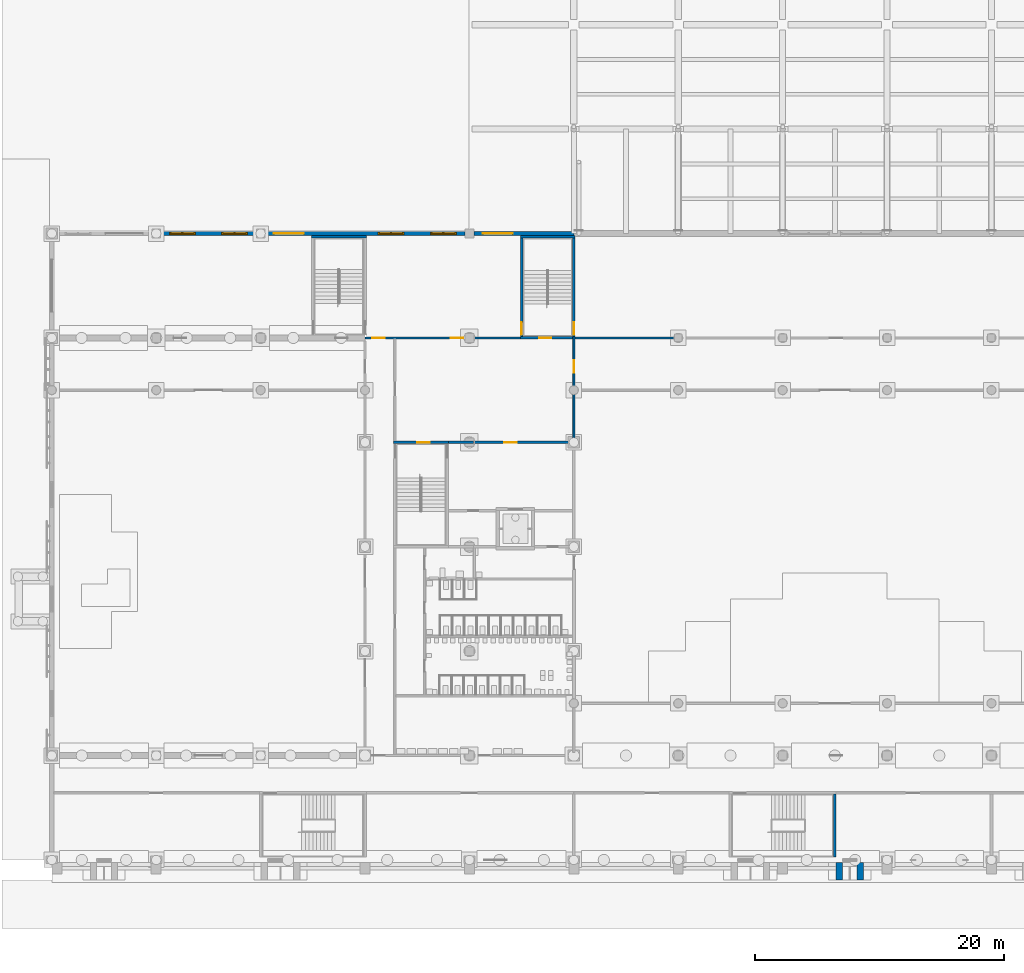
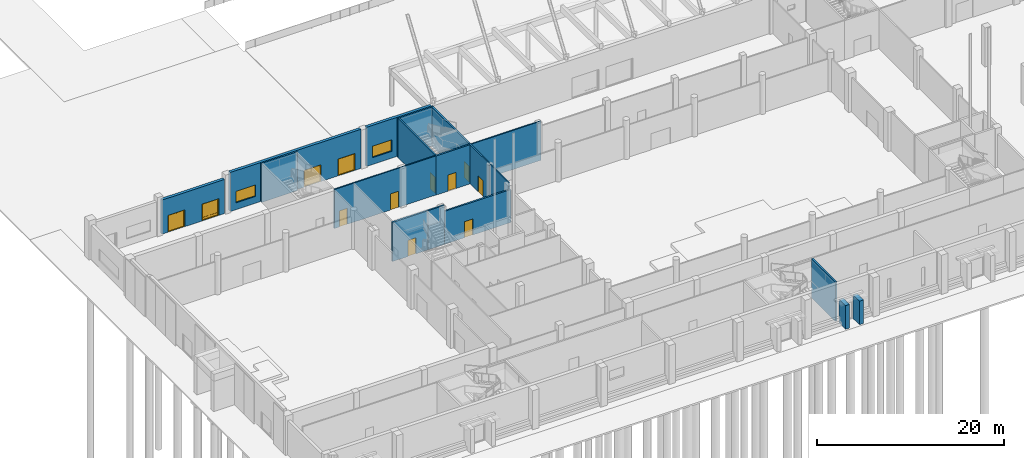
# One storey, part 19 of 74: 18 walls, 12 doors, 2 windows, 14 openings.
"""IFC4 building model written with IfcOpenShell, lengths in metres."""

from ifc_helpers import new_model, si_unit, direction, frame, frame_2d, origin, place, context, subcontext, project, spatial, rectangle, extrude, material, layer, layer_set, type_object, element, fill, save


model = new_model("IFC4")

# Units and contexts
model_context = context("Model", 3, precision=1e-05, world=origin(), true_north=direction((0.0, 1.0)))
body_context = subcontext(model_context, "Body", "Model", "MODEL_VIEW")
ifc_project = project(units=[si_unit("LENGTHUNIT", "METRE"), si_unit("AREAUNIT", "SQUARE_METRE"), si_unit("VOLUMEUNIT", "CUBIC_METRE"), si_unit("PLANEANGLEUNIT", "RADIAN"), si_unit("MASSUNIT", "GRAM", prefix="KILO")], contexts=[model_context])

# Site, building, storey
site_placement = place(None, origin())
site = spatial("IfcSite", under=ifc_project, at=site_placement, CompositionType="ELEMENT")
building_placement = place(site_placement, origin())
building = spatial("IfcBuilding", under=site, at=building_placement, Name="Rulbaag Community and Learning Centre", CompositionType="ELEMENT")
storey_placement = place(building_placement, origin())
storey = spatial("IfcBuildingStorey", under=building, at=storey_placement, Name="L00", CompositionType="ELEMENT", Elevation=0.0)

# Wall, openings, doors
ifc_material_1 = material(Name="Concrete M40", Category="concrete")
ifc_layer_1 = layer(ifc_material_1, 0.35009765625)
ifc_layer_set_1 = layer_set([ifc_layer_1], Name="EW-CONC350")
wall_type_1 = type_object("IfcWallType", Name="EW-CONC350", PredefinedType="STANDARD", material=ifc_layer_set_1)
wall_1_placement = place(storey_placement, frame((8.75, 50.39990234375, 0.0), z_axis=(0.0, 0.0, 1.0), x_axis=(1.0, 0.0, 0.0)))
wall_1 = element("IfcWall", 1, at=wall_1_placement, inside=storey, type_object=wall_type_1, Name="Board-marked concrete cladding wall AN", PredefinedType="STANDARD", context=body_context, shape_type="SweptSolid", body=[
    extrude(rectangle(XDim=7.699951171875, YDim=0.35009765625, at=frame_2d((3.85009765625, 0.0))), origin(), (0.0, 0.0, 1.0), 4.449951171875),
])
opening_1_placement = place(wall_1_placement, frame((0.699951171875, 0.0, 0.0)))
opening_1 = element("IfcOpeningElement", 2, at=opening_1_placement, cuts=wall_1, Name="Opening L00-D008", PredefinedType="OPENING", context=body_context, shape_type="SweptSolid", body=[
    extrude(rectangle(XDim=2.10009765625, YDim=2.199951171875, at=frame_2d((1.050048828125, 1.10009765625))), frame((0.0, 0.18505859375, 0.0), z_axis=(0.0, -1.0, 0.0), x_axis=(1.0, 0.0, 0.0)), (0.0, 0.0, 1.0), 0.3701171875),
])
opening_2_placement = place(wall_1_placement, frame((4.89990234375, 0.0, 0.0)))
opening_2 = element("IfcOpeningElement", 3, at=opening_2_placement, cuts=wall_1, Name="Opening L00-D011", PredefinedType="OPENING", context=body_context, shape_type="SweptSolid", body=[
    extrude(rectangle(XDim=2.10009765625, YDim=2.199951171875, at=frame_2d((1.050048828125, 1.10009765625))), frame((0.0, 0.18505859375, 0.0), z_axis=(0.0, -1.0, 0.0), x_axis=(1.0, 0.0, 0.0)), (0.0, 0.0, 1.0), 0.3701171875),
])
ifc_material_2 = material(Name="Aluminium", Category="aluminium")
door_type_1 = type_object("IfcDoorType", Name="DG-21", OperationType="DOUBLE_DOOR_SINGLE_SWING", PredefinedType="DOOR", material=ifc_material_2)
door_1_placement = place(opening_1_placement, origin())
door_1 = element("IfcDoor", 4, at=door_1_placement, inside=storey, type_object=door_type_1, Name="Final exit G5", OperationType="SINGLE_SWING_LEFT", OverallHeight=2.199951171875, OverallWidth=2.10009765625, PredefinedType="DOOR", context=body_context, shape_type="SweptSolid", body=[
    extrude(rectangle(XDim=2.10009765625, YDim=0.012939453125, at=frame_2d((1.050048828125, 0.006591796875))), frame((0.0, 0.114990234375, 0.0), z_axis=(0.0, -1.0, 0.0), x_axis=(1.0, 0.0, 0.0)), (0.0, 0.0, 1.0), 0.22998046875),
    extrude(rectangle(XDim=0.074951171875, YDim=2.112060546875, at=frame_2d((0.03759765625, 1.069091796875))), frame((0.0, 0.125, 0.0), z_axis=(0.0, -1.0, 0.0), x_axis=(1.0, 0.0, 0.0)), (0.0, 0.0, 1.0), 0.25),
    extrude(rectangle(XDim=0.074951171875, YDim=2.112060546875, at=frame_2d((2.0625, 1.069091796875))), frame((0.0, 0.125, 0.0), z_axis=(0.0, -1.0, 0.0), x_axis=(1.0, 0.0, 0.0)), (0.0, 0.0, 1.0), 0.25),
    extrude(rectangle(XDim=2.10009765625, YDim=0.074951171875, at=frame_2d((1.050048828125, 2.16259765625))), frame((0.0, 0.114990234375, 0.0), z_axis=(0.0, -1.0, 0.0), x_axis=(1.0, 0.0, 0.0)), (0.0, 0.0, 1.0), 0.22998046875),
    extrude(rectangle(XDim=1.9501953125, YDim=0.300048828125, at=frame_2d((1.050048828125, 0.1630859375))), frame((0.0, 0.02001953125, 0.0), z_axis=(0.0, -1.0, 0.0), x_axis=(1.0, 0.0, 0.0)), (0.0, 0.0, 1.0), 0.0400390625),
    extrude(rectangle(XDim=1.9501953125, YDim=0.1201171875, at=frame_2d((1.050048828125, 2.06494140625))), frame((0.0, 0.02001953125, 0.0), z_axis=(0.0, -1.0, 0.0), x_axis=(1.0, 0.0, 0.0)), (0.0, 0.0, 1.0), 0.0400390625),
    extrude(rectangle(XDim=0.090087890625, YDim=1.69189453125, at=frame_2d((0.119873046875, 1.158935546875))), frame((0.0, 0.02490234375, 0.0), z_axis=(0.0, -1.0, 0.0), x_axis=(1.0, 0.0, 0.0)), (0.0, 0.0, 1.0), 0.050048828125),
    extrude(rectangle(XDim=0.179931640625, YDim=1.69189453125, at=frame_2d((1.050048828125, 1.158935546875))), frame((0.0, 0.02490234375, 0.0), z_axis=(0.0, -1.0, 0.0), x_axis=(1.0, 0.0, 0.0)), (0.0, 0.0, 1.0), 0.050048828125),
    extrude(rectangle(XDim=0.090087890625, YDim=1.69189453125, at=frame_2d((1.980224609375, 1.158935546875))), frame((0.0, 0.02490234375, 0.0), z_axis=(0.0, -1.0, 0.0), x_axis=(1.0, 0.0, 0.0)), (0.0, 0.0, 1.0), 0.050048828125),
    extrude(rectangle(XDim=0.795166015625, YDim=1.69189453125, at=frame_2d((0.5625, 1.158935546875))), frame((0.0, 0.011962890625, 0.0), z_axis=(0.0, -1.0, 0.0), x_axis=(1.0, 0.0, 0.0)), (0.0, 0.0, 1.0), 0.02392578125),
    extrude(rectangle(XDim=0.795166015625, YDim=1.69189453125, at=frame_2d((1.53759765625, 1.158935546875))), frame((0.0, 0.011962890625, 0.0), z_axis=(0.0, -1.0, 0.0), x_axis=(1.0, 0.0, 0.0)), (0.0, 0.0, 1.0), 0.02392578125),
])
fill(opening_1, door_1)
door_2_placement = place(opening_2_placement, origin())
door_2 = element("IfcDoor", 5, at=door_2_placement, inside=storey, type_object=door_type_1, Name="Final exit G6", OperationType="SINGLE_SWING_LEFT", OverallHeight=2.199951171875, OverallWidth=2.10009765625, PredefinedType="DOOR", context=body_context, shape_type="SweptSolid", body=[
    extrude(rectangle(XDim=2.10009765625, YDim=0.012939453125, at=frame_2d((1.050048828125, 0.006591796875))), frame((0.0, 0.114990234375, 0.0), z_axis=(0.0, -1.0, 0.0), x_axis=(1.0, 0.0, 0.0)), (0.0, 0.0, 1.0), 0.22998046875),
    extrude(rectangle(XDim=0.074951171875, YDim=2.112060546875, at=frame_2d((0.03759765625, 1.069091796875))), frame((0.0, 0.125, 0.0), z_axis=(0.0, -1.0, 0.0), x_axis=(1.0, 0.0, 0.0)), (0.0, 0.0, 1.0), 0.25),
    extrude(rectangle(XDim=0.074951171875, YDim=2.112060546875, at=frame_2d((2.0625, 1.069091796875))), frame((0.0, 0.125, 0.0), z_axis=(0.0, -1.0, 0.0), x_axis=(1.0, 0.0, 0.0)), (0.0, 0.0, 1.0), 0.25),
    extrude(rectangle(XDim=2.10009765625, YDim=0.074951171875, at=frame_2d((1.050048828125, 2.16259765625))), frame((0.0, 0.114990234375, 0.0), z_axis=(0.0, -1.0, 0.0), x_axis=(1.0, 0.0, 0.0)), (0.0, 0.0, 1.0), 0.22998046875),
    extrude(rectangle(XDim=1.9501953125, YDim=0.300048828125, at=frame_2d((1.050048828125, 0.1630859375))), frame((0.0, 0.02001953125, 0.0), z_axis=(0.0, -1.0, 0.0), x_axis=(1.0, 0.0, 0.0)), (0.0, 0.0, 1.0), 0.0400390625),
    extrude(rectangle(XDim=1.9501953125, YDim=0.1201171875, at=frame_2d((1.050048828125, 2.06494140625))), frame((0.0, 0.02001953125, 0.0), z_axis=(0.0, -1.0, 0.0), x_axis=(1.0, 0.0, 0.0)), (0.0, 0.0, 1.0), 0.0400390625),
    extrude(rectangle(XDim=0.090087890625, YDim=1.69189453125, at=frame_2d((0.119873046875, 1.158935546875))), frame((0.0, 0.02490234375, 0.0), z_axis=(0.0, -1.0, 0.0), x_axis=(1.0, 0.0, 0.0)), (0.0, 0.0, 1.0), 0.050048828125),
    extrude(rectangle(XDim=0.179931640625, YDim=1.69189453125, at=frame_2d((1.050048828125, 1.158935546875))), frame((0.0, 0.02490234375, 0.0), z_axis=(0.0, -1.0, 0.0), x_axis=(1.0, 0.0, 0.0)), (0.0, 0.0, 1.0), 0.050048828125),
    extrude(rectangle(XDim=0.090087890625, YDim=1.69189453125, at=frame_2d((1.980224609375, 1.158935546875))), frame((0.0, 0.02490234375, 0.0), z_axis=(0.0, -1.0, 0.0), x_axis=(1.0, 0.0, 0.0)), (0.0, 0.0, 1.0), 0.050048828125),
    extrude(rectangle(XDim=0.795166015625, YDim=1.69189453125, at=frame_2d((0.5625, 1.158935546875))), frame((0.0, 0.011962890625, 0.0), z_axis=(0.0, -1.0, 0.0), x_axis=(1.0, 0.0, 0.0)), (0.0, 0.0, 1.0), 0.02392578125),
    extrude(rectangle(XDim=0.795166015625, YDim=1.69189453125, at=frame_2d((1.53759765625, 1.158935546875))), frame((0.0, 0.011962890625, 0.0), z_axis=(0.0, -1.0, 0.0), x_axis=(1.0, 0.0, 0.0)), (0.0, 0.0, 1.0), 0.02392578125),
])
fill(opening_2, door_2)

# Wall, openings, doors, window
wall_2_placement = place(storey_placement, frame((17.14990234375, 50.39990234375, 0.0), z_axis=(0.0, 0.0, 1.0), x_axis=(1.0, 0.0, 0.0)))
wall_2 = element("IfcWall", 6, at=wall_2_placement, inside=storey, type_object=wall_type_1, Name="Board-marked concrete cladding wall AN", PredefinedType="STANDARD", context=body_context, shape_type="SweptSolid", body=[
    extrude(rectangle(XDim=16.10009765625, YDim=0.35009765625, at=frame_2d((8.050048828125, 0.0))), origin(), (0.0, 0.0, 1.0), 5.10009765625),
])
opening_3_placement = place(wall_2_placement, frame((9.10009765625, 0.0, 0.0)))
opening_3 = element("IfcOpeningElement", 7, at=opening_3_placement, cuts=wall_2, Name="Opening L00-D022", PredefinedType="OPENING", context=body_context, shape_type="SweptSolid", body=[
    extrude(rectangle(XDim=2.10009765625, YDim=2.199951171875, at=frame_2d((1.050048828125, 1.10009765625))), frame((0.0, 0.18505859375, 0.0), z_axis=(0.0, -1.0, 0.0), x_axis=(1.0, 0.0, 0.0)), (0.0, 0.0, 1.0), 0.3701171875),
])
opening_4_placement = place(wall_2_placement, frame((13.300048828125, 0.0, 0.0)))
opening_4 = element("IfcOpeningElement", 8, at=opening_4_placement, cuts=wall_2, Name="Opening L00-D030", PredefinedType="OPENING", context=body_context, shape_type="SweptSolid", body=[
    extrude(rectangle(XDim=2.10009765625, YDim=2.199951171875, at=frame_2d((1.050048828125, 1.10009765625))), frame((0.0, 0.18505859375, 0.0), z_axis=(0.0, -1.0, 0.0), x_axis=(1.0, 0.0, 0.0)), (0.0, 0.0, 1.0), 0.3701171875),
])
opening_5_placement = place(wall_2_placement, frame((0.72509765625, 0.0, 0.89990234375)))
opening_5 = element("IfcOpeningElement", 9, at=opening_5_placement, cuts=wall_2, Name="Opening WN17", PredefinedType="OPENING", context=body_context, shape_type="SweptSolid", body=[
    extrude(rectangle(XDim=2.39990234375, YDim=1.5, at=frame_2d((1.199951171875, 0.75))), frame((0.0, 0.18505859375, 0.0), z_axis=(0.0, -1.0, 0.0), x_axis=(1.0, 0.0, 0.0)), (0.0, 0.0, 1.0), 0.3701171875),
])
door_3_placement = place(opening_3_placement, origin())
door_3 = element("IfcDoor", 10, at=door_3_placement, inside=storey, type_object=door_type_1, Name="Final exit G7", OperationType="SINGLE_SWING_LEFT", OverallHeight=2.199951171875, OverallWidth=2.10009765625, PredefinedType="DOOR", context=body_context, shape_type="SweptSolid", body=[
    extrude(rectangle(XDim=2.10009765625, YDim=0.012939453125, at=frame_2d((1.050048828125, 0.006591796875))), frame((0.0, 0.114990234375, 0.0), z_axis=(0.0, -1.0, 0.0), x_axis=(1.0, 0.0, 0.0)), (0.0, 0.0, 1.0), 0.22998046875),
    extrude(rectangle(XDim=0.074951171875, YDim=2.112060546875, at=frame_2d((0.03759765625, 1.069091796875))), frame((0.0, 0.125, 0.0), z_axis=(0.0, -1.0, 0.0), x_axis=(1.0, 0.0, 0.0)), (0.0, 0.0, 1.0), 0.25),
    extrude(rectangle(XDim=0.074951171875, YDim=2.112060546875, at=frame_2d((2.0625, 1.069091796875))), frame((0.0, 0.125, 0.0), z_axis=(0.0, -1.0, 0.0), x_axis=(1.0, 0.0, 0.0)), (0.0, 0.0, 1.0), 0.25),
    extrude(rectangle(XDim=2.10009765625, YDim=0.074951171875, at=frame_2d((1.050048828125, 2.16259765625))), frame((0.0, 0.114990234375, 0.0), z_axis=(0.0, -1.0, 0.0), x_axis=(1.0, 0.0, 0.0)), (0.0, 0.0, 1.0), 0.22998046875),
    extrude(rectangle(XDim=1.9501953125, YDim=0.300048828125, at=frame_2d((1.050048828125, 0.1630859375))), frame((0.0, 0.02001953125, 0.0), z_axis=(0.0, -1.0, 0.0), x_axis=(1.0, 0.0, 0.0)), (0.0, 0.0, 1.0), 0.0400390625),
    extrude(rectangle(XDim=1.9501953125, YDim=0.1201171875, at=frame_2d((1.050048828125, 2.06494140625))), frame((0.0, 0.02001953125, 0.0), z_axis=(0.0, -1.0, 0.0), x_axis=(1.0, 0.0, 0.0)), (0.0, 0.0, 1.0), 0.0400390625),
    extrude(rectangle(XDim=0.090087890625, YDim=1.69189453125, at=frame_2d((0.119873046875, 1.158935546875))), frame((0.0, 0.02490234375, 0.0), z_axis=(0.0, -1.0, 0.0), x_axis=(1.0, 0.0, 0.0)), (0.0, 0.0, 1.0), 0.050048828125),
    extrude(rectangle(XDim=0.179931640625, YDim=1.69189453125, at=frame_2d((1.050048828125, 1.158935546875))), frame((0.0, 0.02490234375, 0.0), z_axis=(0.0, -1.0, 0.0), x_axis=(1.0, 0.0, 0.0)), (0.0, 0.0, 1.0), 0.050048828125),
    extrude(rectangle(XDim=0.090087890625, YDim=1.69189453125, at=frame_2d((1.980224609375, 1.158935546875))), frame((0.0, 0.02490234375, 0.0), z_axis=(0.0, -1.0, 0.0), x_axis=(1.0, 0.0, 0.0)), (0.0, 0.0, 1.0), 0.050048828125),
    extrude(rectangle(XDim=0.795166015625, YDim=1.69189453125, at=frame_2d((0.5625, 1.158935546875))), frame((0.0, 0.011962890625, 0.0), z_axis=(0.0, -1.0, 0.0), x_axis=(1.0, 0.0, 0.0)), (0.0, 0.0, 1.0), 0.02392578125),
    extrude(rectangle(XDim=0.795166015625, YDim=1.69189453125, at=frame_2d((1.53759765625, 1.158935546875))), frame((0.0, 0.011962890625, 0.0), z_axis=(0.0, -1.0, 0.0), x_axis=(1.0, 0.0, 0.0)), (0.0, 0.0, 1.0), 0.02392578125),
])
fill(opening_3, door_3)
door_4_placement = place(opening_4_placement, origin())
door_4 = element("IfcDoor", 11, at=door_4_placement, inside=storey, type_object=door_type_1, Name="Final exit G8", OperationType="SINGLE_SWING_LEFT", OverallHeight=2.199951171875, OverallWidth=2.10009765625, PredefinedType="DOOR", context=body_context, shape_type="SweptSolid", body=[
    extrude(rectangle(XDim=2.10009765625, YDim=0.012939453125, at=frame_2d((1.050048828125, 0.006591796875))), frame((0.0, 0.114990234375, 0.0), z_axis=(0.0, -1.0, 0.0), x_axis=(1.0, 0.0, 0.0)), (0.0, 0.0, 1.0), 0.22998046875),
    extrude(rectangle(XDim=0.074951171875, YDim=2.112060546875, at=frame_2d((0.03759765625, 1.069091796875))), frame((0.0, 0.125, 0.0), z_axis=(0.0, -1.0, 0.0), x_axis=(1.0, 0.0, 0.0)), (0.0, 0.0, 1.0), 0.25),
    extrude(rectangle(XDim=0.074951171875, YDim=2.112060546875, at=frame_2d((2.0625, 1.069091796875))), frame((0.0, 0.125, 0.0), z_axis=(0.0, -1.0, 0.0), x_axis=(1.0, 0.0, 0.0)), (0.0, 0.0, 1.0), 0.25),
    extrude(rectangle(XDim=2.10009765625, YDim=0.074951171875, at=frame_2d((1.050048828125, 2.16259765625))), frame((0.0, 0.114990234375, 0.0), z_axis=(0.0, -1.0, 0.0), x_axis=(1.0, 0.0, 0.0)), (0.0, 0.0, 1.0), 0.22998046875),
    extrude(rectangle(XDim=1.9501953125, YDim=0.300048828125, at=frame_2d((1.050048828125, 0.1630859375))), frame((0.0, 0.02001953125, 0.0), z_axis=(0.0, -1.0, 0.0), x_axis=(1.0, 0.0, 0.0)), (0.0, 0.0, 1.0), 0.0400390625),
    extrude(rectangle(XDim=1.9501953125, YDim=0.1201171875, at=frame_2d((1.050048828125, 2.06494140625))), frame((0.0, 0.02001953125, 0.0), z_axis=(0.0, -1.0, 0.0), x_axis=(1.0, 0.0, 0.0)), (0.0, 0.0, 1.0), 0.0400390625),
    extrude(rectangle(XDim=0.090087890625, YDim=1.69189453125, at=frame_2d((0.119873046875, 1.158935546875))), frame((0.0, 0.02490234375, 0.0), z_axis=(0.0, -1.0, 0.0), x_axis=(1.0, 0.0, 0.0)), (0.0, 0.0, 1.0), 0.050048828125),
    extrude(rectangle(XDim=0.179931640625, YDim=1.69189453125, at=frame_2d((1.050048828125, 1.158935546875))), frame((0.0, 0.02490234375, 0.0), z_axis=(0.0, -1.0, 0.0), x_axis=(1.0, 0.0, 0.0)), (0.0, 0.0, 1.0), 0.050048828125),
    extrude(rectangle(XDim=0.090087890625, YDim=1.69189453125, at=frame_2d((1.980224609375, 1.158935546875))), frame((0.0, 0.02490234375, 0.0), z_axis=(0.0, -1.0, 0.0), x_axis=(1.0, 0.0, 0.0)), (0.0, 0.0, 1.0), 0.050048828125),
    extrude(rectangle(XDim=0.795166015625, YDim=1.69189453125, at=frame_2d((0.5625, 1.158935546875))), frame((0.0, 0.011962890625, 0.0), z_axis=(0.0, -1.0, 0.0), x_axis=(1.0, 0.0, 0.0)), (0.0, 0.0, 1.0), 0.02392578125),
    extrude(rectangle(XDim=0.795166015625, YDim=1.69189453125, at=frame_2d((1.53759765625, 1.158935546875))), frame((0.0, 0.011962890625, 0.0), z_axis=(0.0, -1.0, 0.0), x_axis=(1.0, 0.0, 0.0)), (0.0, 0.0, 1.0), 0.02392578125),
])
fill(opening_4, door_4)
window_type = type_object("IfcWindowType", Name="WN-24", PartitioningType="DOUBLE_PANEL_VERTICAL", PredefinedType="WINDOW", material=ifc_material_2)
window_1_placement = place(opening_5_placement, origin())
window_1 = element("IfcWindow", 12, at=window_1_placement, inside=storey, type_object=window_type, Name="Window WN17", OverallHeight=1.5, OverallWidth=2.39990234375, PartitioningType="SINGLE_PANEL", PredefinedType="WINDOW", context=body_context, shape_type="SweptSolid", body=[
    extrude(rectangle(XDim=2.39990234375, YDim=1.5, at=frame_2d((1.199951171875, 0.75))), frame((0.0, 0.030029296875, 0.0), z_axis=(0.0, -1.0, 0.0), x_axis=(1.0, 0.0, 0.0)), (0.0, 0.0, 1.0), 0.06005859375),
])
fill(opening_5, window_1)

# Wall, opening, window
wall_3_placement = place(storey_placement, frame((33.949951171875, 50.39990234375, 0.0), z_axis=(0.0, 0.0, 1.0), x_axis=(1.0, 0.0, 0.0)))
wall_3 = element("IfcWall", 13, at=wall_3_placement, inside=storey, type_object=wall_type_1, Name="Board-marked concrete cladding wall AN", PredefinedType="STANDARD", context=body_context, shape_type="SweptSolid", body=[
    extrude(rectangle(XDim=8.050048828125, YDim=0.35009765625, at=frame_2d((4.02490234375, 0.0))), origin(), (0.0, 0.0, 1.0), 5.10009765625),
])
opening_6_placement = place(wall_3_placement, frame((0.72509765625, 0.0, 0.89990234375)))
opening_6 = element("IfcOpeningElement", 14, at=opening_6_placement, cuts=wall_3, Name="Opening WN17", PredefinedType="OPENING", context=body_context, shape_type="SweptSolid", body=[
    extrude(rectangle(XDim=2.39990234375, YDim=1.5, at=frame_2d((1.199951171875, 0.75))), frame((0.0, 0.18505859375, 0.0), z_axis=(0.0, -1.0, 0.0), x_axis=(1.0, 0.0, 0.0)), (0.0, 0.0, 1.0), 0.3701171875),
])
window_2_placement = place(opening_6_placement, origin())
window_2 = element("IfcWindow", 15, at=window_2_placement, inside=storey, type_object=window_type, Name="Window WN17", OverallHeight=1.5, OverallWidth=2.39990234375, PartitioningType="SINGLE_PANEL", PredefinedType="WINDOW", context=body_context, shape_type="SweptSolid", body=[
    extrude(rectangle(XDim=2.39990234375, YDim=1.5, at=frame_2d((1.199951171875, 0.75))), frame((0.0, 0.030029296875, 0.0), z_axis=(0.0, -1.0, 0.0), x_axis=(1.0, 0.0, 0.0)), (0.0, 0.0, 1.0), 0.06005859375),
])
fill(opening_6, window_2)

# Walls
ifc_layer_2 = layer(ifc_material_1, 0.5)
ifc_layer_set_2 = layer_set([ifc_layer_2], Name="EW-PJB5")
wall_type_2 = type_object("IfcWallType", Name="EW-PJB5", PredefinedType="SOLIDWALL", material=ifc_layer_set_2)
for number, where, z_axis, x_axis, name in (
    (16, (63.35009765625, -0.22509765625, 0.0), (0.0, 0.0, 1.0), (0.0, -1.0, 0.0), "Portal jamb"),
    (17, (65.050048828125, -0.22509765625, 0.0), (0.0, 0.0, 1.0), (0.0, -1.0, 0.0), "Portal jamb"),
):
    element("IfcWall", number, at=place(storey_placement, frame(where, z_axis=z_axis, x_axis=x_axis)), inside=storey, type_object=wall_type_2, Name=name, PredefinedType="SOLIDWALL", context=body_context, shape_type="SweptSolid", body=[
        extrude(rectangle(XDim=1.39990234375, YDim=0.5, at=frame_2d((0.699951171875, 0.0))), origin(), (0.0, 0.0, 1.0), 3.080078125),
    ])
ifc_material_3 = material(Name="Concrete blockwork", Category="masonry")
ifc_layer_3 = layer(ifc_material_3, 0.199951171875)
ifc_layer_set_3 = layer_set([ifc_layer_3], Name="FW-200 FIRE WALL 200")
wall_type_3 = type_object("IfcWallType", Name="FW-200 FIRE WALL 200", PredefinedType="SOLIDWALL", material=ifc_layer_set_3)
wall_4_placement = place(storey_placement, frame((31.89990234375, 33.60009765625, 0.0), z_axis=(0.0, 0.0, 1.0), x_axis=(1.0, 0.0, 0.0)))
element("IfcWall", 18, at=wall_4_placement, inside=storey, type_object=wall_type_3, Name="Fire wall L00 24", PredefinedType="SOLIDWALL", context=body_context, shape_type="SweptSolid", body=[
    extrude(rectangle(XDim=2.030029296875, YDim=0.199951171875, at=frame_2d((1.01513671875, 0.0))), origin(), (0.0, 0.0, 1.0), 5.10009765625),
])

# Wall, opening, door
wall_5_placement = place(storey_placement, frame((33.929931640625, 33.60009765625, 0.0), z_axis=(0.0, 0.0, 1.0), x_axis=(1.0, 0.0, 0.0)))
wall_5 = element("IfcWall", 19, at=wall_5_placement, inside=storey, type_object=wall_type_3, Name="Fire wall L00 24.2", PredefinedType="SOLIDWALL", context=body_context, shape_type="SweptSolid", body=[
    extrude(rectangle(XDim=8.170166015625, YDim=0.199951171875, at=frame_2d((4.0849609375, 0.0))), origin(), (0.0, 0.0, 1.0), 4.300048828125),
])
opening_7_placement = place(wall_5_placement, frame((2.469970703125, 0.0, 0.0)))
opening_7 = element("IfcOpeningElement", 20, at=opening_7_placement, cuts=wall_5, Name="Opening L00-D051", PredefinedType="OPENING", context=body_context, shape_type="SweptSolid", body=[
    extrude(rectangle(XDim=1.0, YDim=2.10009765625, at=frame_2d((0.5, 1.050048828125))), frame((0.0, 0.10986328125, 0.0), z_axis=(0.0, -1.0, 0.0), x_axis=(1.0, 0.0, 0.0)), (0.0, 0.0, 1.0), 0.219970703125),
])
ifc_material_4 = material(Name="Galvanised steel", Category="steel")
door_type_2 = type_object("IfcDoorType", Name="FD-1000 FIRE DOOR 1000 x 2100", OperationType="SINGLE_SWING_LEFT", PredefinedType="DOOR", material=ifc_material_4)
door_5_placement = place(opening_7_placement, origin())
door_5 = element("IfcDoor", 21, at=door_5_placement, inside=storey, type_object=door_type_2, Name="Door L00-D051", OperationType="SINGLE_SWING_LEFT", OverallHeight=2.10009765625, OverallWidth=1.0, PredefinedType="DOOR", context=body_context, shape_type="SweptSolid", body=[
    extrude(rectangle(XDim=1.0, YDim=2.10009765625, at=frame_2d((0.5, 1.050048828125))), frame((0.0, 0.02490234375, 0.0), z_axis=(0.0, -1.0, 0.0), x_axis=(1.0, 0.0, 0.0)), (0.0, 0.0, 1.0), 0.050048828125),
])
fill(opening_7, door_5)

# Wall, openings, doors
ifc_layer_4 = layer(ifc_material_3, 0.14990234375)
ifc_layer_set_4 = layer_set([ifc_layer_4], Name="IP-150 PARTITION 150")
wall_type_4 = type_object("IfcWallType", Name="IP-150 PARTITION 150", PredefinedType="PARTITIONING", material=ifc_layer_set_4)
wall_6_placement = place(storey_placement, frame((25.199951171875, 42.0, 0.0), z_axis=(0.0, 0.0, 1.0), x_axis=(1.0, 0.0, 0.0)))
wall_6 = element("IfcWall", 22, at=wall_6_placement, inside=storey, type_object=wall_type_4, Name="Partition L00 28", PredefinedType="PARTITIONING", context=body_context, shape_type="SweptSolid", body=[
    extrude(rectangle(XDim=12.5, YDim=0.14990234375, at=frame_2d((6.25, 0.0))), origin(), (0.0, 0.0, 1.0), 5.10009765625),
])
opening_8_placement = place(wall_6_placement, frame((0.60009765625, 0.0, 0.0)))
opening_8 = element("IfcOpeningElement", 23, at=opening_8_placement, cuts=wall_6, Name="Opening L00-D021", PredefinedType="OPENING", context=body_context, shape_type="SweptSolid", body=[
    extrude(rectangle(XDim=1.0, YDim=2.10009765625, at=frame_2d((0.5, 1.050048828125))), frame((0.0, 0.0849609375, 0.0), z_axis=(0.0, -1.0, 0.0), x_axis=(1.0, 0.0, 0.0)), (0.0, 0.0, 1.0), 0.169921875),
])
opening_9_placement = place(wall_6_placement, frame((6.89990234375, 0.0, 0.0)))
opening_9 = element("IfcOpeningElement", 24, at=opening_9_placement, cuts=wall_6, Name="Opening L00-D035", PredefinedType="OPENING", context=body_context, shape_type="SweptSolid", body=[
    extrude(rectangle(XDim=1.0, YDim=2.10009765625, at=frame_2d((0.5, 1.050048828125))), frame((0.0, 0.0849609375, 0.0), z_axis=(0.0, -1.0, 0.0), x_axis=(1.0, 0.0, 0.0)), (0.0, 0.0, 1.0), 0.169921875),
])
ifc_material_5 = material(Name="Timber", Category="wood")
door_type_3 = type_object("IfcDoorType", Name="D-1000 DOOR 1000 x 2100", OperationType="SINGLE_SWING_LEFT", PredefinedType="DOOR", material=ifc_material_5)
door_6_placement = place(opening_8_placement, origin())
door_6 = element("IfcDoor", 25, at=door_6_placement, inside=storey, type_object=door_type_3, Name="Door L00-D021", OperationType="SINGLE_SWING_RIGHT", OverallHeight=2.10009765625, OverallWidth=1.0, PredefinedType="DOOR", context=body_context, shape_type="SweptSolid", body=[
    extrude(rectangle(XDim=1.0, YDim=2.10009765625, at=frame_2d((0.5, 1.050048828125))), frame((0.0, 0.02490234375, 0.0), z_axis=(0.0, -1.0, 0.0), x_axis=(1.0, 0.0, 0.0)), (0.0, 0.0, 1.0), 0.050048828125),
])
fill(opening_8, door_6)
door_7_placement = place(opening_9_placement, origin())
door_7 = element("IfcDoor", 26, at=door_7_placement, inside=storey, type_object=door_type_3, Name="Door L00-D035", OperationType="SINGLE_SWING_LEFT", OverallHeight=2.10009765625, OverallWidth=1.0, PredefinedType="DOOR", context=body_context, shape_type="SweptSolid", body=[
    extrude(rectangle(XDim=1.0, YDim=2.10009765625, at=frame_2d((0.5, 1.050048828125))), frame((0.0, 0.02490234375, 0.0), z_axis=(0.0, -1.0, 0.0), x_axis=(1.0, 0.0, 0.0)), (0.0, 0.0, 1.0), 0.050048828125),
])
fill(opening_9, door_7)

# Walls
wall_7_placement = place(storey_placement, frame((42.10009765625, 42.0, 0.0), z_axis=(0.0, 0.0, 1.0), x_axis=(1.0, 0.0, 0.0)))
element("IfcWall", 27, at=wall_7_placement, inside=storey, type_object=wall_type_4, Name="Partition L00 29", PredefinedType="PARTITIONING", context=body_context, shape_type="SweptSolid", body=[
    extrude(rectangle(XDim=8.579833984375, YDim=0.14990234375, at=frame_2d((4.2900390625, 0.0))), origin(), (0.0, 0.0, 1.0), 5.10009765625),
])
wall_8_placement = place(storey_placement, frame((42.0, 33.699951171875, 0.0), z_axis=(0.0, 0.0, 1.0), x_axis=(0.0, 1.0, 0.0)))
element("IfcWall", 28, at=wall_8_placement, inside=storey, type_object=wall_type_4, Name="Partition L00 69", PredefinedType="PARTITIONING", context=body_context, shape_type="SweptSolid", body=[
    extrude(rectangle(XDim=4.025146484375, YDim=0.14990234375, at=frame_2d((2.0126953125, 0.0))), origin(), (0.0, 0.0, 1.0), 5.10009765625),
])

# Wall, opening, door
wall_9_placement = place(storey_placement, frame((42.0, 37.875, 0.0), z_axis=(0.0, 0.0, 1.0), x_axis=(0.0, 1.0, 0.0)))
wall_9 = element("IfcWall", 29, at=wall_9_placement, inside=storey, type_object=wall_type_4, Name="Partition L00 70", PredefinedType="PARTITIONING", context=body_context, shape_type="SweptSolid", body=[
    extrude(rectangle(XDim=4.22509765625, YDim=0.14990234375, at=frame_2d((2.112548828125, 0.0))), origin(), (0.0, 0.0, 1.0), 5.10009765625),
])
opening_10_placement = place(wall_9_placement, frame((1.324951171875, 0.0, 0.0)))
opening_10 = element("IfcOpeningElement", 30, at=opening_10_placement, cuts=wall_9, Name="Opening L00-D062", PredefinedType="OPENING", context=body_context, shape_type="SweptSolid", body=[
    extrude(rectangle(XDim=1.0, YDim=2.10009765625, at=frame_2d((0.5, 1.050048828125))), frame((0.0, 0.0849609375, 0.0), z_axis=(0.0, -1.0, 0.0), x_axis=(1.0, 0.0, 0.0)), (0.0, 0.0, 1.0), 0.169921875),
])
door_8_placement = place(opening_10_placement, origin())
door_8 = element("IfcDoor", 31, at=door_8_placement, inside=storey, type_object=door_type_3, Name="Door L00-D062", OperationType="SINGLE_SWING_LEFT", OverallHeight=2.10009765625, OverallWidth=1.0, PredefinedType="DOOR", context=body_context, shape_type="SweptSolid", body=[
    extrude(rectangle(XDim=1.0, YDim=2.10009765625, at=frame_2d((0.5, 1.050048828125))), frame((0.0, 0.02490234375, 0.0), z_axis=(0.0, -1.0, 0.0), x_axis=(1.0, 0.0, 0.0)), (0.0, 0.0, 1.0), 0.050048828125),
])
fill(opening_10, door_8)

# Wall
ifc_layer_5 = layer(ifc_material_1, 0.199951171875)
ifc_layer_set_5 = layer_set([ifc_layer_5], Name="WSE Stair enclosure wall 200 Concrete M40")
wall_type_5 = type_object("IfcWallType", Name="WSE Stair enclosure wall 200 Concrete M40", PredefinedType="SHEAR", material=ifc_layer_set_5)
wall_10_placement = place(storey_placement, frame((20.89990234375, 50.125, 0.0), z_axis=(0.0, 0.0, 1.0), x_axis=(1.0, 0.0, 0.0)))
element("IfcWall", 32, at=wall_10_placement, inside=storey, type_object=wall_type_5, Name="Stair enclosure wall SH0 N L00", PredefinedType="SHEAR", context=body_context, shape_type="SweptSolid", body=[
    extrude(rectangle(XDim=4.400146484375, YDim=0.199951171875, at=frame_2d((2.2001953125, 0.0))), origin(), (0.0, 0.0, 1.0), 5.10009765625),
])

# Wall, opening, door
wall_11_placement = place(storey_placement, frame((27.5, 33.60009765625, 0.0), z_axis=(0.0, 0.0, 1.0), x_axis=(1.0, 0.0, 0.0)))
wall_11 = element("IfcWall", 33, at=wall_11_placement, inside=storey, type_object=wall_type_5, Name="Stair enclosure wall SH1 N L00", PredefinedType="SHEAR", context=body_context, shape_type="SweptSolid", body=[
    extrude(rectangle(XDim=4.39990234375, YDim=0.199951171875, at=frame_2d((2.199951171875, 0.0))), origin(), (0.0, 0.0, 1.0), 5.10009765625),
])
opening_11_placement = place(wall_11_placement, frame((1.89990234375, 0.0, 0.0)))
opening_11 = element("IfcOpeningElement", 34, at=opening_11_placement, cuts=wall_11, Name="Opening L00-D026", PredefinedType="OPENING", context=body_context, shape_type="SweptSolid", body=[
    extrude(rectangle(XDim=1.0, YDim=2.10009765625, at=frame_2d((0.5, 1.050048828125))), frame((0.0, 0.10986328125, 0.0), z_axis=(0.0, -1.0, 0.0), x_axis=(1.0, 0.0, 0.0)), (0.0, 0.0, 1.0), 0.219970703125),
])
door_9_placement = place(opening_11_placement, origin())
door_9 = element("IfcDoor", 35, at=door_9_placement, inside=storey, type_object=door_type_2, Name="Door L00-D026", OperationType="SINGLE_SWING_LEFT", OverallHeight=2.10009765625, OverallWidth=1.0, PredefinedType="DOOR", context=body_context, shape_type="SweptSolid", body=[
    extrude(rectangle(XDim=1.0, YDim=2.10009765625, at=frame_2d((0.5, 1.050048828125))), frame((0.0, 0.02490234375, 0.0), z_axis=(0.0, -1.0, 0.0), x_axis=(1.0, 0.0, 0.0)), (0.0, 0.0, 1.0), 0.050048828125),
])
fill(opening_11, door_9)

wall_12_placement = place(storey_placement, frame((37.699951171875, 42.0, 0.0), z_axis=(0.0, 0.0, 1.0), x_axis=(1.0, 0.0, 0.0)))
wall_12 = element("IfcWall", 36, at=wall_12_placement, inside=storey, type_object=wall_type_5, Name="Stair enclosure wall SH5 S L00", PredefinedType="SHEAR", context=body_context, shape_type="SweptSolid", body=[
    extrude(rectangle(XDim=4.400146484375, YDim=0.199951171875, at=frame_2d((2.2001953125, 0.0))), origin(), (0.0, 0.0, 1.0), 5.10009765625),
])
opening_12_placement = place(wall_12_placement, frame((1.5, 0.0, 0.0)))
opening_12 = element("IfcOpeningElement", 37, at=opening_12_placement, cuts=wall_12, Name="Opening L00-D058", PredefinedType="OPENING", context=body_context, shape_type="SweptSolid", body=[
    extrude(rectangle(XDim=1.0, YDim=2.10009765625, at=frame_2d((0.5, 1.050048828125))), frame((0.0, 0.10986328125, 0.0), z_axis=(0.0, -1.0, 0.0), x_axis=(1.0, 0.0, 0.0)), (0.0, 0.0, 1.0), 0.219970703125),
])
door_10_placement = place(opening_12_placement, origin())
door_10 = element("IfcDoor", 38, at=door_10_placement, inside=storey, type_object=door_type_2, Name="Door L00-D058", OperationType="SINGLE_SWING_RIGHT", OverallHeight=2.10009765625, OverallWidth=1.0, PredefinedType="DOOR", context=body_context, shape_type="SweptSolid", body=[
    extrude(rectangle(XDim=1.0, YDim=2.10009765625, at=frame_2d((0.5, 1.050048828125))), frame((0.0, 0.02490234375, 0.0), z_axis=(0.0, -1.0, 0.0), x_axis=(1.0, 0.0, 0.0)), (0.0, 0.0, 1.0), 0.050048828125),
])
fill(opening_12, door_10)

# Wall
wall_13_placement = place(storey_placement, frame((37.699951171875, 50.125, 0.0), z_axis=(0.0, 0.0, 1.0), x_axis=(1.0, 0.0, 0.0)))
element("IfcWall", 39, at=wall_13_placement, inside=storey, type_object=wall_type_5, Name="Stair enclosure wall SH5 N L00", PredefinedType="SHEAR", context=body_context, shape_type="SweptSolid", body=[
    extrude(rectangle(XDim=4.400146484375, YDim=0.199951171875, at=frame_2d((2.2001953125, 0.0))), origin(), (0.0, 0.0, 1.0), 5.10009765625),
])

# Wall, opening, door
wall_14_placement = place(storey_placement, frame((37.800048828125, 42.10009765625, 0.0), z_axis=(0.0, 0.0, 1.0), x_axis=(0.0, 1.0, 0.0)))
wall_14 = element("IfcWall", 40, at=wall_14_placement, inside=storey, type_object=wall_type_5, Name="Stair enclosure wall SH5 W L00", PredefinedType="SHEAR", context=body_context, shape_type="SweptSolid", body=[
    extrude(rectangle(XDim=7.9248046875, YDim=0.199951171875, at=frame_2d((3.96240234375, 0.0))), origin(), (0.0, 0.0, 1.0), 5.10009765625),
])
opening_13_placement = place(wall_14_placement, frame((0.14990234375, 0.0, 0.0)))
opening_13 = element("IfcOpeningElement", 41, at=opening_13_placement, cuts=wall_14, Name="Opening L00-D055", PredefinedType="OPENING", context=body_context, shape_type="SweptSolid", body=[
    extrude(rectangle(XDim=1.0, YDim=2.10009765625, at=frame_2d((0.5, 1.050048828125))), frame((0.0, 0.10986328125, 0.0), z_axis=(0.0, -1.0, 0.0), x_axis=(1.0, 0.0, 0.0)), (0.0, 0.0, 1.0), 0.219970703125),
])
door_11_placement = place(opening_13_placement, origin())
door_11 = element("IfcDoor", 42, at=door_11_placement, inside=storey, type_object=door_type_2, Name="Door L00-D055", OperationType="SINGLE_SWING_LEFT", OverallHeight=2.10009765625, OverallWidth=1.0, PredefinedType="DOOR", context=body_context, shape_type="SweptSolid", body=[
    extrude(rectangle(XDim=1.0, YDim=2.10009765625, at=frame_2d((0.5, 1.050048828125))), frame((0.0, 0.02490234375, 0.0), z_axis=(0.0, -1.0, 0.0), x_axis=(1.0, 0.0, 0.0)), (0.0, 0.0, 1.0), 0.050048828125),
])
fill(opening_13, door_11)

wall_15_placement = place(storey_placement, frame((42.0, 42.10009765625, 0.0), z_axis=(0.0, 0.0, 1.0), x_axis=(0.0, 1.0, 0.0)))
wall_15 = element("IfcWall", 43, at=wall_15_placement, inside=storey, type_object=wall_type_5, Name="Stair enclosure wall SH5 E L00", PredefinedType="SHEAR", context=body_context, shape_type="SweptSolid", body=[
    extrude(rectangle(XDim=7.9248046875, YDim=0.199951171875, at=frame_2d((3.96240234375, 0.0))), origin(), (0.0, 0.0, 1.0), 5.10009765625),
])
opening_14_placement = place(wall_15_placement, frame((0.14990234375, 0.0, 0.0)))
opening_14 = element("IfcOpeningElement", 44, at=opening_14_placement, cuts=wall_15, Name="Opening L00-D063", PredefinedType="OPENING", context=body_context, shape_type="SweptSolid", body=[
    extrude(rectangle(XDim=1.0, YDim=2.10009765625, at=frame_2d((0.5, 1.050048828125))), frame((0.0, 0.10986328125, 0.0), z_axis=(0.0, -1.0, 0.0), x_axis=(1.0, 0.0, 0.0)), (0.0, 0.0, 1.0), 0.219970703125),
])
door_12_placement = place(opening_14_placement, origin())
door_12 = element("IfcDoor", 45, at=door_12_placement, inside=storey, type_object=door_type_2, Name="Door L00-D063", OperationType="SINGLE_SWING_RIGHT", OverallHeight=2.10009765625, OverallWidth=1.0, PredefinedType="DOOR", context=body_context, shape_type="SweptSolid", body=[
    extrude(rectangle(XDim=1.0, YDim=2.10009765625, at=frame_2d((0.5, 1.050048828125))), frame((0.0, 0.02490234375, 0.0), z_axis=(0.0, -1.0, 0.0), x_axis=(1.0, 0.0, 0.0)), (0.0, 0.0, 1.0), 0.050048828125),
])
fill(opening_14, door_12)

# Wall
wall_16_placement = place(storey_placement, frame((63.0, 0.22509765625, 0.0), z_axis=(0.0, 0.0, 1.0), x_axis=(0.0, 1.0, 0.0)))
element("IfcWall", 46, at=wall_16_placement, inside=storey, type_object=wall_type_5, Name="Stair enclosure wall SH8 E L00", PredefinedType="SHEAR", context=body_context, shape_type="SweptSolid", body=[
    extrude(rectangle(XDim=5.074951171875, YDim=0.199951171875, at=frame_2d((2.53759765625, 0.0))), origin(), (0.0, 0.0, 1.0), 5.10009765625),
])

save(model, "model.ifc")
